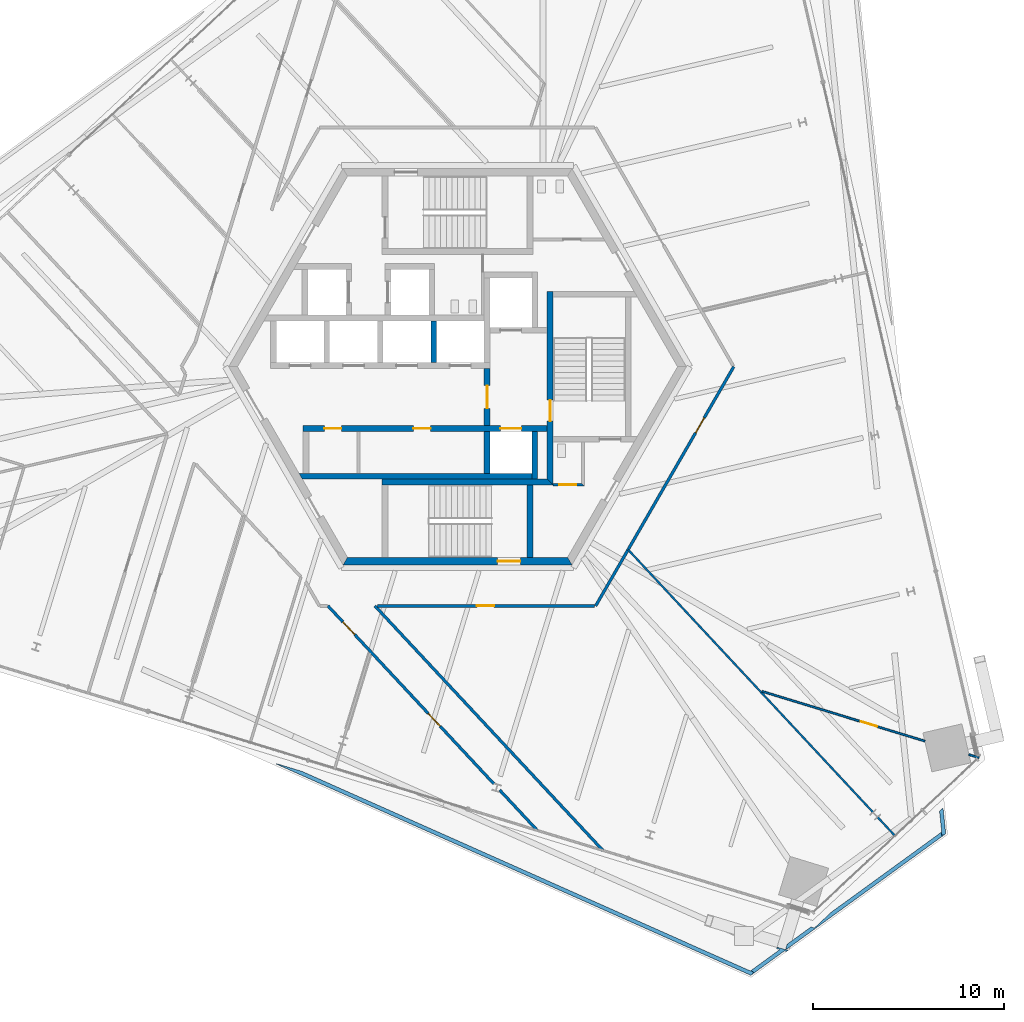
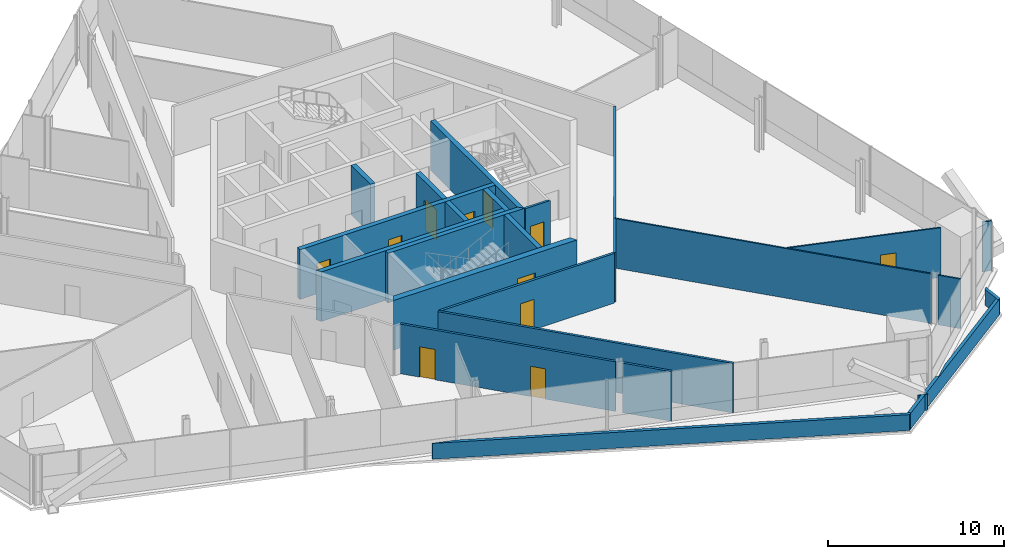
# One storey, part 19 of 25: 23 walls, 12 doors, 12 openings.
"""IFC4 building model written with IfcOpenShell, lengths in metres."""

from ifc_helpers import new_model, si_unit, direction, frame, frame_2d, origin, place, context, subcontext, project, spatial, polyline, rectangle, outline, extrude, source, transform, mapped, material, layer, layer_set, type_object, element, fill, save


model = new_model("IFC4")

# Units and contexts
model_context = context("Model", 3, precision=1e-05, world=origin(), true_north=direction((0.0, 1.0)))
body_context = subcontext(model_context, "Body", "Model", "MODEL_VIEW")
ifc_project = project(units=[si_unit("LENGTHUNIT", "METRE"), si_unit("AREAUNIT", "SQUARE_METRE"), si_unit("VOLUMEUNIT", "CUBIC_METRE"), si_unit("PLANEANGLEUNIT", "RADIAN"), si_unit("MASSUNIT", "GRAM", prefix="KILO")], contexts=[model_context])

# Site, building, storey
site_placement = place(None, origin())
site = spatial("IfcSite", under=ifc_project, at=site_placement, CompositionType="ELEMENT")
building_placement = place(site_placement, origin())
building = spatial("IfcBuilding", under=site, at=building_placement, Name="Triune Harvest Tower", CompositionType="ELEMENT")
storey_placement = place(building_placement, frame((0.0, 0.0, 98.300048828125)))
storey = spatial("IfcBuildingStorey", under=building, at=storey_placement, Name="L24", CompositionType="ELEMENT", Elevation=98.300048828125)

# Walls
ifc_material_1 = material(Name="Concrete 40 MPa", Category="concrete")
ifc_layer_1 = layer(ifc_material_1, 0.199951171875)
ifc_layer_set_1 = layer_set([ifc_layer_1], Name="Concrete 40 MPa")
wall_type_1 = type_object("IfcWallType", Name="PA-1 parapet 200", PredefinedType="PARAPET", material=ifc_layer_set_1)
wall_1_placement = place(storey_placement, origin())
element("IfcWall", 1, at=wall_1_placement, inside=storey, type_object=wall_type_1, Name="Parapet wedge L23 1.1", PredefinedType="PARAPET", context=body_context, shape_type="SweptSolid", body=[
    extrude(outline(polyline([(25.367919921875, -24.406982421875), (25.38671875, -24.3935546875), (25.272705078125, -23.30859375), (25.455810546875, -23.137939453125), (25.59765625, -24.487548828125), (25.504150390625, -24.555419921875), (25.385009765625, -24.56787109375), (25.367919921875, -24.406982421875)])), origin(), (0.0, 0.0, 1.0), 1.099853515625),
])
wall_2_placement = place(storey_placement, origin())
element("IfcWall", 2, at=wall_2_placement, inside=storey, type_object=wall_type_1, Name="Parapet wedge L23 1.2", PredefinedType="PARAPET", context=body_context, shape_type="SweptSolid", body=[
    extrude(outline(polyline([(-9.5029296875, -20.833984375), (-9.4931640625, -20.807861328125), (-8.141845703125, -21.220947265625), (15.354736328125, -31.68212890625), (15.373291015625, -31.66845703125), (15.52099609375, -31.734375), (15.47216796875, -31.843994140625), (15.37890625, -31.911865234375), (-9.5029296875, -20.833984375)])), origin(), (0.0, 0.0, 1.0), 1.099853515625),
])
wall_3_placement = place(storey_placement, origin())
element("IfcWall", 3, at=wall_3_placement, inside=storey, type_object=wall_type_1, Name="Parapet wedge L23 1.3", PredefinedType="PARAPET", context=body_context, shape_type="SweptSolid", body=[
    extrude(outline(polyline([(16.7529296875, -30.43212890625), (17.1962890625, -30.567626953125), (17.2841796875, -30.2802734375), (18.52978515625, -29.375244140625), (18.70849609375, -29.429931640625), (19.60400390625, -28.5947265625), (25.367919921875, -24.406982421875), (25.385009765625, -24.56787109375), (25.504150390625, -24.555419921875), (17.21923828125, -30.57470703125), (17.339111328125, -30.611328125), (17.257568359375, -30.67041015625), (17.1376953125, -30.6337890625), (15.47216796875, -31.843994140625), (15.52099609375, -31.734375), (15.373291015625, -31.66845703125), (16.898193359375, -30.560546875), (16.7294921875, -30.509033203125), (16.7529296875, -30.43212890625)])), origin(), (0.0, 0.0, 1.0), 1.099853515625),
])

# Wall, opening, door
ifc_material_2 = material(Name="Concrete 70 MPa", Category="concrete")
ifc_layer_2 = layer(ifc_material_2, 0.39990234375)
ifc_layer_set_2 = layer_set([ifc_layer_2], Name="Concrete 70 MPa")
wall_type_2 = type_object("IfcWallType", Name="Core wall 400", PredefinedType="SHEAR", material=ifc_layer_set_2)
shared_shape_1 = source(origin(), body_context, "Body", "SweptSolid", [
    extrude(outline(polyline([(-0.115478515625, -0.199951171875), (11.884521484375, -0.199951171875), (11.653564453125, 0.199951171875), (0.115478515625, 0.199951171875), (-0.115478515625, -0.199951171875)])), origin(), (0.0, 0.0, 1.0), 3.43994140625),
])
wall_4_placement = place(storey_placement, frame((-5.884521484375, -10.1923828125, 0.0), z_axis=(0.0, 0.0, 1.0), x_axis=(1.0, 0.0, 0.0)))
wall_4 = element("IfcWall", 4, at=wall_4_placement, inside=storey, type_object=wall_type_2, Name="Hexagon 4 wall", PredefinedType="SHEAR", context=body_context, shape_type="MappedRepresentation", body=[
    mapped(shared_shape_1, transform((0.0, 0.0, 0.0), scale=1.0)),
])
opening_1_placement = place(wall_4_placement, frame((7.984619140625, 0.0, 0.0)))
opening_1 = element("IfcOpeningElement", 5, at=opening_1_placement, cuts=wall_4, Name="Opening CD-S2P", PredefinedType="OPENING", context=body_context, shape_type="SweptSolid", body=[
    extrude(rectangle(XDim=1.199951171875, YDim=2.10009765625, at=frame_2d((0.60009765625, 1.050048828125))), frame((0.0, 0.2099609375, 0.0), z_axis=(0.0, -1.0, 0.0), x_axis=(1.0, 0.0, 0.0)), (0.0, 0.0, 1.0), 0.419921875),
])
ifc_material_3 = material(Name="Steel S235", Category="steel")
door_type_1 = type_object("IfcDoorType", Name="Stair door 1200 FD120", OperationType="SINGLE_SWING_LEFT", PredefinedType="DOOR", material=ifc_material_3)
door_1_placement = place(opening_1_placement, frame((1.199951171875, 0.0, 0.0), z_axis=(0.0, 0.0, 1.0), x_axis=(-1.0, 0.0, 0.0)))
door_1 = element("IfcDoor", 6, at=door_1_placement, inside=storey, type_object=door_type_1, Name="Door CD-S2P", OperationType="SINGLE_SWING_RIGHT", OverallHeight=2.10009765625, OverallWidth=1.199951171875, PredefinedType="DOOR", context=body_context, shape_type="SweptSolid", body=[
    extrude(rectangle(XDim=1.199951171875, YDim=2.10009765625, at=frame_2d((0.60009765625, 1.050048828125))), frame((0.0, 0.02490234375, 0.0), z_axis=(0.0, -1.0, 0.0), x_axis=(1.0, 0.0, 0.0)), (0.0, 0.0, 1.0), 0.050048828125),
])
fill(opening_1, door_1)

# Wall
ifc_material_4 = material(Name="Concrete 70 MPa", Category="concrete")
ifc_layer_3 = layer(ifc_material_4, 0.300048828125)
ifc_layer_set_3 = layer_set([ifc_layer_3], Name="Concrete 70 MPa")
wall_type_3 = type_object("IfcWallType", Name="Core wall 300", PredefinedType="SHEAR", material=ifc_layer_set_3)
shared_shape_2 = source(origin(), body_context, "Body", "SweptSolid", [
    extrude(rectangle(XDim=2.5, YDim=0.300048828125, at=frame_2d((1.25, 0.0))), origin(), (0.0, 0.0, 1.0), 3.43994140625),
])
wall_5_placement = place(storey_placement, frame((4.050048828125, -5.889892578125, 0.0), z_axis=(0.0, 0.0, 1.0), x_axis=(0.0, 1.0, 0.0)))
element("IfcWall", 7, at=wall_5_placement, inside=storey, type_object=wall_type_3, Name="Ff2 east wall", PredefinedType="SHEAR", context=body_context, shape_type="MappedRepresentation", body=[
    mapped(shared_shape_2, transform((0.0, 0.0, 0.0), scale=1.0)),
])

# Wall, opening, door
shared_shape_3 = source(origin(), body_context, "Body", "SweptSolid", [
    extrude(rectangle(XDim=3.0, YDim=0.300048828125, at=frame_2d((1.5, 0.0))), origin(), (0.0, 0.0, 1.0), 3.43994140625),
])
wall_6_placement = place(storey_placement, frame((1.550048828125, -3.090087890625, 0.0), z_axis=(0.0, 0.0, 1.0), x_axis=(0.0, 1.0, 0.0)))
wall_6 = element("IfcWall", 8, at=wall_6_placement, inside=storey, type_object=wall_type_3, Name="Ff lobby west wall", PredefinedType="SHEAR", context=body_context, shape_type="MappedRepresentation", body=[
    mapped(shared_shape_3, transform((0.0, 0.0, 0.0), scale=1.0)),
])
opening_2_placement = place(wall_6_placement, frame((0.89990234375, 0.0, 0.0)))
opening_2 = element("IfcOpeningElement", 9, at=opening_2_placement, cuts=wall_6, Name="Opening CD-FL", PredefinedType="OPENING", context=body_context, shape_type="SweptSolid", body=[
    extrude(rectangle(XDim=1.199951171875, YDim=2.10009765625, at=frame_2d((0.60009765625, 1.050048828125))), frame((0.0, 0.16015625, 0.0), z_axis=(0.0, -1.0, 0.0), x_axis=(1.0, 0.0, 0.0)), (0.0, 0.0, 1.0), 0.320068359375),
])
ifc_material_5 = material(Name="Steel S235", Category="steel")
door_type_2 = type_object("IfcDoorType", Name="Firefighters' lobby door 1200 FD120", OperationType="SINGLE_SWING_LEFT", PredefinedType="DOOR", material=ifc_material_5)
door_2_placement = place(opening_2_placement, frame((1.199951171875, 0.0, 0.0), z_axis=(0.0, 0.0, 1.0), x_axis=(-1.0, 0.0, 0.0)))
door_2 = element("IfcDoor", 10, at=door_2_placement, inside=storey, type_object=door_type_2, Name="Door CD-FL", OperationType="SINGLE_SWING_RIGHT", OverallHeight=2.10009765625, OverallWidth=1.199951171875, PredefinedType="DOOR", context=body_context, shape_type="SweptSolid", body=[
    extrude(rectangle(XDim=1.199951171875, YDim=2.10009765625, at=frame_2d((0.60009765625, 1.050048828125))), frame((0.0, 0.02490234375, 0.0), z_axis=(0.0, -1.0, 0.0), x_axis=(1.0, 0.0, 0.0)), (0.0, 0.0, 1.0), 0.050048828125),
])
fill(opening_2, door_2)

# Wall, openings, doors
shared_shape_4 = source(origin(), body_context, "Body", "SweptSolid", [
    extrude(rectangle(XDim=12.800048828125, YDim=0.300048828125, at=frame_2d((6.39990234375, 0.0))), origin(), (0.0, 0.0, 1.0), 3.43994140625),
])
wall_7_placement = place(storey_placement, frame((-8.10009765625, -3.239990234375, 0.0), z_axis=(0.0, 0.0, 1.0), x_axis=(1.0, 0.0, 0.0)))
wall_7 = element("IfcWall", 11, at=wall_7_placement, inside=storey, type_object=wall_type_3, Name="South front wall", PredefinedType="SHEAR", context=body_context, shape_type="MappedRepresentation", body=[
    mapped(shared_shape_4, transform((0.0, 0.0, 0.0), scale=1.0)),
])
opening_3_placement = place(wall_7_placement, frame((1.112548828125, 0.0, 0.0)))
opening_3 = element("IfcOpeningElement", 12, at=opening_3_placement, cuts=wall_7, Name="Opening CD-RS1", PredefinedType="OPENING", context=body_context, shape_type="SweptSolid", body=[
    extrude(rectangle(XDim=0.89990234375, YDim=2.10009765625, at=frame_2d((0.449951171875, 1.050048828125))), frame((0.0, 0.16015625, 0.0), z_axis=(0.0, -1.0, 0.0), x_axis=(1.0, 0.0, 0.0)), (0.0, 0.0, 1.0), 0.320068359375),
])
opening_4_placement = place(wall_7_placement, frame((5.78759765625, 0.0, 0.0)))
opening_4 = element("IfcOpeningElement", 13, at=opening_4_placement, cuts=wall_7, Name="Opening CD-RS2", PredefinedType="OPENING", context=body_context, shape_type="SweptSolid", body=[
    extrude(rectangle(XDim=0.89990234375, YDim=2.10009765625, at=frame_2d((0.449951171875, 1.050048828125))), frame((0.0, 0.16015625, 0.0), z_axis=(0.0, -1.0, 0.0), x_axis=(1.0, 0.0, 0.0)), (0.0, 0.0, 1.0), 0.320068359375),
])
opening_5_placement = place(wall_7_placement, frame((10.35009765625, 0.0, 0.0)))
opening_5 = element("IfcOpeningElement", 14, at=opening_5_placement, cuts=wall_7, Name="Opening LD-FF2-24", PredefinedType="OPENING", context=body_context, shape_type="SweptSolid", body=[
    extrude(rectangle(XDim=1.10009765625, YDim=2.10009765625, at=frame_2d((0.550048828125, 1.050048828125))), frame((0.0, 0.16015625, 0.0), z_axis=(0.0, -1.0, 0.0), x_axis=(1.0, 0.0, 0.0)), (0.0, 0.0, 1.0), 0.320068359375),
])
ifc_material_6 = material(Name="Stainless steel AISI 304", Category="steel")
door_type_3 = type_object("IfcDoorType", Name="Landing door 1100 x 2100", OperationType="DOUBLE_DOOR_SLIDING", PredefinedType="DOOR", material=ifc_material_6)
door_3_placement = place(opening_5_placement, origin())
door_3 = element("IfcDoor", 15, at=door_3_placement, inside=storey, type_object=door_type_3, Name="Door LD-FF2-24", OperationType="DOUBLE_DOOR_SLIDING", OverallHeight=2.10009765625, OverallWidth=1.10009765625, PredefinedType="DOOR", context=body_context, shape_type="SweptSolid", body=[
    extrude(rectangle(XDim=1.10009765625, YDim=2.10009765625, at=frame_2d((0.550048828125, 1.050048828125))), frame((0.0, 0.02490234375, 0.0), z_axis=(0.0, -1.0, 0.0), x_axis=(1.0, 0.0, 0.0)), (0.0, 0.0, 1.0), 0.050048828125),
])
fill(opening_5, door_3)
ifc_material_7 = material(Name="Steel S235", Category="steel")
door_type_4 = type_object("IfcDoorType", Name="Riser door 900 FD120", OperationType="SINGLE_SWING_LEFT", PredefinedType="DOOR", material=ifc_material_7)
door_4_placement = place(opening_3_placement, origin())
door_4 = element("IfcDoor", 16, at=door_4_placement, inside=storey, type_object=door_type_4, Name="Door CD-RS1", OperationType="SINGLE_SWING_LEFT", OverallHeight=2.10009765625, OverallWidth=0.89990234375, PredefinedType="DOOR", context=body_context, shape_type="SweptSolid", body=[
    extrude(rectangle(XDim=0.89990234375, YDim=2.10009765625, at=frame_2d((0.449951171875, 1.050048828125))), frame((0.0, 0.02490234375, 0.0), z_axis=(0.0, -1.0, 0.0), x_axis=(1.0, 0.0, 0.0)), (0.0, 0.0, 1.0), 0.050048828125),
])
fill(opening_3, door_4)
door_5_placement = place(opening_4_placement, origin())
door_5 = element("IfcDoor", 17, at=door_5_placement, inside=storey, type_object=door_type_4, Name="Door CD-RS2", OperationType="SINGLE_SWING_LEFT", OverallHeight=2.10009765625, OverallWidth=0.89990234375, PredefinedType="DOOR", context=body_context, shape_type="SweptSolid", body=[
    extrude(rectangle(XDim=0.89990234375, YDim=2.10009765625, at=frame_2d((0.449951171875, 1.050048828125))), frame((0.0, 0.02490234375, 0.0), z_axis=(0.0, -1.0, 0.0), x_axis=(1.0, 0.0, 0.0)), (0.0, 0.0, 1.0), 0.050048828125),
])
fill(opening_4, door_5)

# Walls
shared_shape_5 = source(origin(), body_context, "Body", "SweptSolid", [
    extrude(outline(polyline([(12.0, -0.14990234375), (-0.039794921875, -0.14990234375), (-0.212890625, 0.14990234375), (12.0, 0.14990234375), (12.0, -0.14990234375)])), origin(), (0.0, 0.0, 1.0), 3.43994140625),
])
wall_8_placement = place(storey_placement, frame((-8.10009765625, -5.739990234375, 0.0), z_axis=(0.0, 0.0, 1.0), x_axis=(1.0, 0.0, 0.0)))
element("IfcWall", 18, at=wall_8_placement, inside=storey, type_object=wall_type_3, Name="South back wall", PredefinedType="SHEAR", context=body_context, shape_type="MappedRepresentation", body=[
    mapped(shared_shape_5, transform((0.0, 0.0, 0.0), scale=1.0)),
])
shared_shape_6 = source(origin(), body_context, "Body", "SweptSolid", [
    extrude(rectangle(XDim=2.2001953125, YDim=0.300048828125, at=frame_2d((1.10009765625, 0.0))), origin(), (0.0, 0.0, 1.0), 3.43994140625),
])
wall_9_placement = place(storey_placement, frame((1.550048828125, -5.590087890625, 0.0), z_axis=(0.0, 0.0, 1.0), x_axis=(0.0, 1.0, 0.0)))
element("IfcWall", 19, at=wall_9_placement, inside=storey, type_object=wall_type_3, Name="Ff2 west wall", PredefinedType="SHEAR", context=body_context, shape_type="MappedRepresentation", body=[
    mapped(shared_shape_6, transform((0.0, 0.0, 0.0), scale=1.0)),
])
shared_shape_7 = source(origin(), body_context, "Body", "SweptSolid", [
    extrude(rectangle(XDim=2.199951171875, YDim=0.300048828125, at=frame_2d((1.10009765625, 0.0))), origin(), (0.0, 0.0, 1.0), 3.43994140625),
])
wall_10_placement = place(storey_placement, frame((-1.25, 0.2099609375, 0.0), z_axis=(0.0, 0.0, 1.0), x_axis=(0.0, 1.0, 0.0)))
element("IfcWall", 20, at=wall_10_placement, inside=storey, type_object=wall_type_3, Name="North cross 3 wall", PredefinedType="SHEAR", context=body_context, shape_type="MappedRepresentation", body=[
    mapped(shared_shape_7, transform((0.0, 0.0, 0.0), scale=1.0)),
])

# Wall, opening, door
shared_shape_8 = source(origin(), body_context, "Body", "SweptSolid", [
    extrude(outline(polyline([(-0.14990234375, -0.14990234375), (9.989990234375, -0.14990234375), (9.989990234375, 0.14990234375), (0.14990234375, 0.14990234375), (-0.14990234375, -0.14990234375)])), origin(), (0.0, 0.0, 1.0), 3.43994140625),
])
wall_11_placement = place(storey_placement, frame((4.85009765625, -6.0400390625, 0.0), z_axis=(0.0, 0.0, 1.0), x_axis=(0.0, 1.0, 0.0)))
wall_11 = element("IfcWall", 21, at=wall_11_placement, inside=storey, type_object=wall_type_3, Name="Stair e west wall", PredefinedType="SHEAR", context=body_context, shape_type="MappedRepresentation", body=[
    mapped(shared_shape_8, transform((0.0, 0.0, 0.0), scale=1.0)),
])
opening_6_placement = place(wall_11_placement, frame((3.18994140625, 0.0, 0.0)))
opening_6 = element("IfcOpeningElement", 22, at=opening_6_placement, cuts=wall_11, Name="Opening CD-S3L", PredefinedType="OPENING", context=body_context, shape_type="SweptSolid", body=[
    extrude(rectangle(XDim=1.10009765625, YDim=2.10009765625, at=frame_2d((0.550048828125, 1.050048828125))), frame((0.0, 0.16015625, 0.0), z_axis=(0.0, -1.0, 0.0), x_axis=(1.0, 0.0, 0.0)), (0.0, 0.0, 1.0), 0.320068359375),
])
ifc_material_8 = material(Name="Steel S235", Category="steel")
door_type_5 = type_object("IfcDoorType", Name="Stair door 1100 FD120", OperationType="SINGLE_SWING_LEFT", PredefinedType="DOOR", material=ifc_material_8)
door_6_placement = place(opening_6_placement, frame((1.10009765625, 0.0, 0.0), z_axis=(0.0, 0.0, 1.0), x_axis=(-1.0, 0.0, 0.0)))
door_6 = element("IfcDoor", 23, at=door_6_placement, inside=storey, type_object=door_type_5, Name="Door CD-S3L", OperationType="SINGLE_SWING_RIGHT", OverallHeight=2.10009765625, OverallWidth=1.10009765625, PredefinedType="DOOR", context=body_context, shape_type="SweptSolid", body=[
    extrude(rectangle(XDim=1.10009765625, YDim=2.10009765625, at=frame_2d((0.550048828125, 1.050048828125))), frame((0.0, 0.02490234375, 0.0), z_axis=(0.0, -1.0, 0.0), x_axis=(1.0, 0.0, 0.0)), (0.0, 0.0, 1.0), 0.050048828125),
])
fill(opening_6, door_6)

# Walls
shared_shape_9 = source(origin(), body_context, "Body", "SweptSolid", [
    extrude(outline(polyline([(0.0, -0.14990234375), (8.949951171875, -0.14990234375), (8.64990234375, 0.14990234375), (0.0, 0.14990234375), (0.0, -0.14990234375)])), origin(), (0.0, 0.0, 1.0), 3.43994140625),
])
wall_12_placement = place(storey_placement, frame((-3.949951171875, -6.0400390625, 0.0), z_axis=(0.0, 0.0, 1.0), x_axis=(1.0, 0.0, 0.0)))
element("IfcWall", 24, at=wall_12_placement, inside=storey, type_object=wall_type_3, Name="Stair s north wall", PredefinedType="SHEAR", context=body_context, shape_type="MappedRepresentation", body=[
    mapped(shared_shape_9, transform((0.0, 0.0, 0.0), scale=1.0)),
])
shared_shape_10 = source(origin(), body_context, "Body", "SweptSolid", [
    extrude(outline(polyline([(3.800048828125, -0.14990234375), (-0.00439453125, -0.14990234375), (-0.00439453125, 0.14990234375), (3.800048828125, 0.14990234375), (3.800048828125, -0.14990234375)])), origin(), (0.0, 0.0, 1.0), 3.43994140625),
])
wall_13_placement = place(storey_placement, frame((3.800048828125, -9.989990234375, 0.0), z_axis=(0.0, 0.0, 1.0), x_axis=(0.0, 1.0, 0.0)))
element("IfcWall", 25, at=wall_13_placement, inside=storey, type_object=wall_type_3, Name="Stair s east wall", PredefinedType="SHEAR", context=body_context, shape_type="MappedRepresentation", body=[
    mapped(shared_shape_10, transform((0.0, 0.0, 0.0), scale=1.0)),
])

# Wall, opening, door
ifc_material_9 = material(Name="Concrete masonry unit", Category="masonry")
ifc_layer_4 = layer(ifc_material_9, 0.14990234375)
ifc_layer_set_4 = layer_set([ifc_layer_4], Name="Concrete masonry unit")
wall_type_4 = type_object("IfcWallType", Name="Block partition 150 unrated", PredefinedType="PARTITIONING", material=ifc_layer_set_4)
shared_shape_11 = source(origin(), body_context, "Body", "SweptSolid", [
    extrude(outline(polyline([(0.0, -0.074951171875), (1.64990234375, -0.074951171875), (1.5, 0.074951171875), (0.0, 0.074951171875), (0.0, -0.074951171875)])), origin(), (0.0, 0.0, 1.0), 3.43994140625),
])
wall_14_placement = place(storey_placement, frame((5.0, -6.18994140625, 0.0), z_axis=(0.0, 0.0, 1.0), x_axis=(1.0, 0.0, 0.0)))
wall_14 = element("IfcWall", 26, at=wall_14_placement, inside=storey, type_object=wall_type_4, Name="Wc acc south wall", PredefinedType="PARTITIONING", context=body_context, shape_type="MappedRepresentation", body=[
    mapped(shared_shape_11, transform((0.0, 0.0, 0.0), scale=1.0)),
])
opening_7_placement = place(wall_14_placement, frame((0.33740234375, 0.0, 0.0)))
opening_7 = element("IfcOpeningElement", 27, at=opening_7_placement, cuts=wall_14, Name="Opening CD-WA", PredefinedType="OPENING", context=body_context, shape_type="SweptSolid", body=[
    extrude(rectangle(XDim=0.89990234375, YDim=2.10009765625, at=frame_2d((0.449951171875, 1.050048828125))), frame((0.0, 0.0849609375, 0.0), z_axis=(0.0, -1.0, 0.0), x_axis=(1.0, 0.0, 0.0)), (0.0, 0.0, 1.0), 0.169921875),
])
ifc_material_10 = material(Name="Timber C24", Category="wood")
door_type_6 = type_object("IfcDoorType", Name="WC door 900", OperationType="SINGLE_SWING_LEFT", PredefinedType="DOOR", material=ifc_material_10)
door_7_placement = place(opening_7_placement, origin())
door_7 = element("IfcDoor", 28, at=door_7_placement, inside=storey, type_object=door_type_6, Name="Door CD-WA", OperationType="SINGLE_SWING_LEFT", OverallHeight=2.10009765625, OverallWidth=0.89990234375, PredefinedType="DOOR", context=body_context, shape_type="SweptSolid", body=[
    extrude(rectangle(XDim=0.89990234375, YDim=2.10009765625, at=frame_2d((0.449951171875, 1.050048828125))), frame((0.0, 0.02490234375, 0.0), z_axis=(0.0, -1.0, 0.0), x_axis=(1.0, 0.0, 0.0)), (0.0, 0.0, 1.0), 0.050048828125),
])
fill(opening_7, door_7)

# Wall, openings, doors
ifc_material_11 = material(Name="Gypsum board on steel studs", Category="steel")
ifc_layer_5 = layer(ifc_material_11, 0.14990234375)
ifc_layer_set_5 = layer_set([ifc_layer_5], Name="Gypsum board on steel studs")
wall_type_5 = type_object("IfcWallType", Name="Fire Partition 150 mm", PredefinedType="PARTITIONING", material=ifc_layer_set_5)
shared_shape_12 = source(origin(), body_context, "Body", "SweptSolid", [
    extrude(rectangle(XDim=12.765625, YDim=0.14990234375, at=frame_2d((6.3828125, 0.0))), origin(), (0.0, 0.0, 1.0), 3.43994140625),
])
wall_15_placement = place(storey_placement, frame((-6.792724609375, -12.542236328125, 0.0), z_axis=(0.0, 0.0, 1.0), x_axis=(0.68197542596, -0.731375087343, 0.0)))
wall_15 = element("IfcWall", 29, at=wall_15_placement, inside=storey, type_object=wall_type_5, Name="Partition L24 006", PredefinedType="PARTITIONING", context=body_context, shape_type="MappedRepresentation", body=[
    mapped(shared_shape_12, transform((0.0, 0.0, 0.0), scale=1.0)),
])
opening_8_placement = place(wall_15_placement, frame((1.150146484375, 0.0, 0.0)))
opening_8 = element("IfcOpeningElement", 30, at=opening_8_placement, cuts=wall_15, Name="Opening L24-015", PredefinedType="OPENING", context=body_context, shape_type="SweptSolid", body=[
    extrude(rectangle(XDim=0.89990234375, YDim=2.10009765625, at=frame_2d((0.449951171875, 1.050048828125))), frame((0.0, 0.0849609375, 0.0), z_axis=(0.0, -1.0, 0.0), x_axis=(1.0, 0.0, 0.0)), (0.0, 0.0, 1.0), 0.169921875),
])
opening_9_placement = place(wall_15_placement, frame((7.716552734375, 0.0, 0.0)))
opening_9 = element("IfcOpeningElement", 31, at=opening_9_placement, cuts=wall_15, Name="Opening L24-016", PredefinedType="OPENING", context=body_context, shape_type="SweptSolid", body=[
    extrude(rectangle(XDim=0.89990234375, YDim=2.10009765625, at=frame_2d((0.449951171875, 1.050048828125))), frame((0.0, 0.0849609375, 0.0), z_axis=(0.0, -1.0, 0.0), x_axis=(1.0, 0.0, 0.0)), (0.0, 0.0, 1.0), 0.169921875),
])
ifc_material_12 = material(Name="Timber and steel door set", Category="steel")
door_type_7 = type_object("IfcDoorType", Name="Single leaf door FD30 left hand 900 x 2100", OperationType="SINGLE_SWING_LEFT", PredefinedType="DOOR", material=ifc_material_12)
door_8_placement = place(opening_9_placement, origin())
door_8 = element("IfcDoor", 32, at=door_8_placement, inside=storey, type_object=door_type_7, Name="Door L24-016 Open Office 24.16", OperationType="SINGLE_SWING_LEFT", OverallHeight=2.10009765625, OverallWidth=0.89990234375, PredefinedType="DOOR", context=body_context, shape_type="SweptSolid", body=[
    extrude(rectangle(XDim=0.89990234375, YDim=2.10009765625, at=frame_2d((0.449951171875, 1.050048828125))), frame((0.0, 0.02490234375, 0.0), z_axis=(0.0, -1.0, 0.0), x_axis=(1.0, 0.0, 0.0)), (0.0, 0.0, 1.0), 0.050048828125),
])
fill(opening_9, door_8)
ifc_material_13 = material(Name="Timber and steel door set", Category="steel")
door_type_8 = type_object("IfcDoorType", Name="Single leaf door FD30 right hand 900 x 2100", OperationType="SINGLE_SWING_RIGHT", PredefinedType="DOOR", material=ifc_material_13)
door_9_placement = place(opening_8_placement, origin())
door_9 = element("IfcDoor", 33, at=door_9_placement, inside=storey, type_object=door_type_8, Name="Door L24-015 Meeting Room 24.15", OperationType="SINGLE_SWING_RIGHT", OverallHeight=2.10009765625, OverallWidth=0.89990234375, PredefinedType="DOOR", context=body_context, shape_type="SweptSolid", body=[
    extrude(rectangle(XDim=0.89990234375, YDim=2.10009765625, at=frame_2d((0.449951171875, 1.050048828125))), frame((0.0, 0.02490234375, 0.0), z_axis=(0.0, -1.0, 0.0), x_axis=(1.0, 0.0, 0.0)), (0.0, 0.0, 1.0), 0.050048828125),
])
fill(opening_8, door_9)

# Walls
shared_shape_13 = source(origin(), body_context, "Body", "SweptSolid", [
    extrude(rectangle(XDim=2.887939453125, YDim=0.14990234375, at=frame_2d((1.44384765625, 0.0))), origin(), (0.0, 0.0, 1.0), 3.43994140625),
])
wall_16_placement = place(storey_placement, frame((2.20947265625, -22.1962890625, 0.0), z_axis=(0.0, 0.0, 1.0), x_axis=(0.681989858387, -0.731361629467, 0.0)))
element("IfcWall", 34, at=wall_16_placement, inside=storey, type_object=wall_type_5, Name="Partition L24 007", PredefinedType="PARTITIONING", context=body_context, shape_type="MappedRepresentation", body=[
    mapped(shared_shape_13, transform((0.0, 0.0, 0.0), scale=1.0)),
])
shared_shape_14 = source(origin(), body_context, "Body", "SweptSolid", [
    extrude(rectangle(XDim=17.52734375, YDim=0.14990234375, at=frame_2d((8.763671875, 0.0))), origin(), (0.0, 0.0, 1.0), 3.43994140625),
])
wall_17_placement = place(storey_placement, frame((-4.33154296875, -12.542236328125, 0.0), z_axis=(0.0, 0.0, 1.0), x_axis=(0.68200056093, -0.731351649271, 0.0)))
element("IfcWall", 35, at=wall_17_placement, inside=storey, type_object=wall_type_5, Name="Partition L24 009", PredefinedType="PARTITIONING", context=body_context, shape_type="MappedRepresentation", body=[
    mapped(shared_shape_14, transform((0.0, 0.0, 0.0), scale=1.0)),
])
ifc_material_14 = material(Name="Gypsum board on steel studs", Category="steel")
ifc_layer_6 = layer(ifc_material_14, 0.10009765625)
ifc_layer_set_6 = layer_set([ifc_layer_6], Name="Gypsum board on steel studs")
wall_type_6 = type_object("IfcWallType", Name="Partition 100 mm", PredefinedType="PARTITIONING", material=ifc_layer_set_6)
shared_shape_15 = source(origin(), body_context, "Body", "SweptSolid", [
    extrude(rectangle(XDim=1.338134765625, YDim=0.10009765625, at=frame_2d((0.6689453125, 0.0))), origin(), (0.0, 0.0, 1.0), 3.43994140625),
])
wall_18_placement = place(storey_placement, frame((22.02490234375, -23.618896484375, 0.0), z_axis=(0.0, 0.0, 1.0), x_axis=(0.68204515899, -0.731310058114, 0.0)))
element("IfcWall", 36, at=wall_18_placement, inside=storey, type_object=wall_type_6, Name="Partition L24 016", PredefinedType="PARTITIONING", context=body_context, shape_type="MappedRepresentation", body=[
    mapped(shared_shape_15, transform((0.0, 0.0, 0.0), scale=1.0)),
])
shared_shape_16 = source(origin(), body_context, "Body", "SweptSolid", [
    extrude(rectangle(XDim=18.818359375, YDim=0.10009765625, at=frame_2d((9.4091796875, 0.0))), origin(), (0.0, 0.0, 1.0), 3.43994140625),
])
wall_19_placement = place(storey_placement, frame((8.944580078125, -9.592041015625, 0.0), z_axis=(0.0, 0.0, 1.0), x_axis=(0.682007100477, -0.731345550953, 0.0)))
element("IfcWall", 37, at=wall_19_placement, inside=storey, type_object=wall_type_6, Name="Partition L24 015", PredefinedType="PARTITIONING", context=body_context, shape_type="MappedRepresentation", body=[
    mapped(shared_shape_16, transform((0.0, 0.0, 0.0), scale=1.0)),
])

# Wall, opening, door
shared_shape_17 = source(origin(), body_context, "Body", "SweptSolid", [
    extrude(rectangle(XDim=8.9326171875, YDim=0.10009765625, at=frame_2d((4.46630859375, 0.0))), origin(), (0.0, 0.0, 1.0), 3.43994140625),
])
wall_20_placement = place(storey_placement, frame((15.968017578125, -17.020751953125, 0.0), z_axis=(0.0, 0.0, 1.0), x_axis=(0.956306366949, -0.292366435373, 0.0)))
wall_20 = element("IfcWall", 38, at=wall_20_placement, inside=storey, type_object=wall_type_6, Name="Partition L24 021", PredefinedType="PARTITIONING", context=body_context, shape_type="MappedRepresentation", body=[
    mapped(shared_shape_17, transform((0.0, 0.0, 0.0), scale=1.0)),
])
opening_10_placement = place(wall_20_placement, frame((5.409912109375, 0.0, 0.0)))
opening_10 = element("IfcOpeningElement", 39, at=opening_10_placement, cuts=wall_20, Name="Opening L24-018", PredefinedType="OPENING", context=body_context, shape_type="SweptSolid", body=[
    extrude(rectangle(XDim=0.89990234375, YDim=2.10009765625, at=frame_2d((0.449951171875, 1.050048828125))), frame((0.0, 0.06005859375, 0.0), z_axis=(0.0, -1.0, 0.0), x_axis=(1.0, 0.0, 0.0)), (0.0, 0.0, 1.0), 0.1201171875),
])
ifc_material_15 = material(Name="Timber and steel door set", Category="steel")
door_type_9 = type_object("IfcDoorType", Name="Single leaf door left hand 900 x 2100", OperationType="SINGLE_SWING_LEFT", PredefinedType="DOOR", material=ifc_material_15)
door_10_placement = place(opening_10_placement, origin())
door_10 = element("IfcDoor", 40, at=door_10_placement, inside=storey, type_object=door_type_9, Name="Door L24-018 Meeting Room 24.18", OperationType="SINGLE_SWING_LEFT", OverallHeight=2.10009765625, OverallWidth=0.89990234375, PredefinedType="DOOR", context=body_context, shape_type="SweptSolid", body=[
    extrude(rectangle(XDim=0.89990234375, YDim=2.10009765625, at=frame_2d((0.449951171875, 1.050048828125))), frame((0.0, 0.02490234375, 0.0), z_axis=(0.0, -1.0, 0.0), x_axis=(1.0, 0.0, 0.0)), (0.0, 0.0, 1.0), 0.050048828125),
])
fill(opening_10, door_10)

# Wall
shared_shape_18 = source(origin(), body_context, "Body", "SweptSolid", [
    extrude(rectangle(XDim=0.552734375, YDim=0.10009765625, at=frame_2d((0.2763671875, 0.0))), origin(), (0.0, 0.0, 1.0), 3.43994140625),
])
wall_21_placement = place(storey_placement, frame((26.806884765625, -20.334716796875, 0.0), z_axis=(0.0, 0.0, 1.0), x_axis=(0.956416704969, -0.292005284981, 0.0)))
element("IfcWall", 41, at=wall_21_placement, inside=storey, type_object=wall_type_6, Name="Partition L24 022", PredefinedType="PARTITIONING", context=body_context, shape_type="MappedRepresentation", body=[
    mapped(shared_shape_18, transform((0.0, 0.0, 0.0), scale=1.0)),
])

# Wall, opening, door
shared_shape_19 = source(origin(), body_context, "Body", "SweptSolid", [
    extrude(rectangle(XDim=11.3828125, YDim=0.14990234375, at=frame_2d((5.69140625, 0.0))), origin(), (0.0, 0.0, 1.0), 3.43994140625),
])
wall_22_placement = place(storey_placement, frame((-4.19140625, -12.542236328125, 0.0), z_axis=(0.0, 0.0, 1.0), x_axis=(1.0, 0.0, 0.0)))
wall_22 = element("IfcWall", 42, at=wall_22_placement, inside=storey, type_object=wall_type_5, Name="Partition L24 024", PredefinedType="PARTITIONING", context=body_context, shape_type="MappedRepresentation", body=[
    mapped(shared_shape_19, transform((0.0, 0.0, 0.0), scale=1.0)),
])
opening_11_placement = place(wall_22_placement, frame((5.2099609375, 0.0, 0.0)))
opening_11 = element("IfcOpeningElement", 43, at=opening_11_placement, cuts=wall_22, Name="Opening L24-017", PredefinedType="OPENING", context=body_context, shape_type="SweptSolid", body=[
    extrude(rectangle(XDim=0.89990234375, YDim=2.10009765625, at=frame_2d((0.449951171875, 1.050048828125))), frame((0.0, 0.0849609375, 0.0), z_axis=(0.0, -1.0, 0.0), x_axis=(1.0, 0.0, 0.0)), (0.0, 0.0, 1.0), 0.169921875),
])
door_11_placement = place(opening_11_placement, origin())
door_11 = element("IfcDoor", 44, at=door_11_placement, inside=storey, type_object=door_type_7, Name="Door L24-017 Open Office 24.17", OperationType="SINGLE_SWING_LEFT", OverallHeight=2.10009765625, OverallWidth=0.89990234375, PredefinedType="DOOR", context=body_context, shape_type="SweptSolid", body=[
    extrude(rectangle(XDim=0.89990234375, YDim=2.10009765625, at=frame_2d((0.449951171875, 1.050048828125))), frame((0.0, 0.02490234375, 0.0), z_axis=(0.0, -1.0, 0.0), x_axis=(1.0, 0.0, 0.0)), (0.0, 0.0, 1.0), 0.050048828125),
])
fill(opening_11, door_11)

shared_shape_20 = source(origin(), body_context, "Body", "SweptSolid", [
    extrude(rectangle(XDim=14.482666015625, YDim=0.14990234375, at=frame_2d((7.2412109375, 0.0))), origin(), (0.0, 0.0, 1.0), 3.43994140625),
])
wall_23_placement = place(storey_placement, frame((7.2412109375, -12.542236328125, 0.0), z_axis=(0.0, 0.0, 1.0), x_axis=(0.50000992002, 0.866019676383, 0.0)))
wall_23 = element("IfcWall", 45, at=wall_23_placement, inside=storey, type_object=wall_type_5, Name="Partition L24 030", PredefinedType="PARTITIONING", context=body_context, shape_type="MappedRepresentation", body=[
    mapped(shared_shape_20, transform((0.0, 0.0, 0.0), scale=1.0)),
])
opening_12_placement = place(wall_23_placement, frame((10.48193359375, 0.0, 0.0)))
opening_12 = element("IfcOpeningElement", 46, at=opening_12_placement, cuts=wall_23, Name="Opening L24-001", PredefinedType="OPENING", context=body_context, shape_type="SweptSolid", body=[
    extrude(rectangle(XDim=0.89990234375, YDim=2.10009765625, at=frame_2d((0.449951171875, 1.050048828125))), frame((0.0, 0.0849609375, 0.0), z_axis=(0.0, -1.0, 0.0), x_axis=(1.0, 0.0, 0.0)), (0.0, 0.0, 1.0), 0.169921875),
])
door_12_placement = place(opening_12_placement, origin())
door_12 = element("IfcDoor", 47, at=door_12_placement, inside=storey, type_object=door_type_7, Name="Door L24-001 Open Office 24.01", OperationType="SINGLE_SWING_LEFT", OverallHeight=2.10009765625, OverallWidth=0.89990234375, PredefinedType="DOOR", context=body_context, shape_type="SweptSolid", body=[
    extrude(rectangle(XDim=0.89990234375, YDim=2.10009765625, at=frame_2d((0.449951171875, 1.050048828125))), frame((0.0, 0.02490234375, 0.0), z_axis=(0.0, -1.0, 0.0), x_axis=(1.0, 0.0, 0.0)), (0.0, 0.0, 1.0), 0.050048828125),
])
fill(opening_12, door_12)

save(model, "model.ifc")
